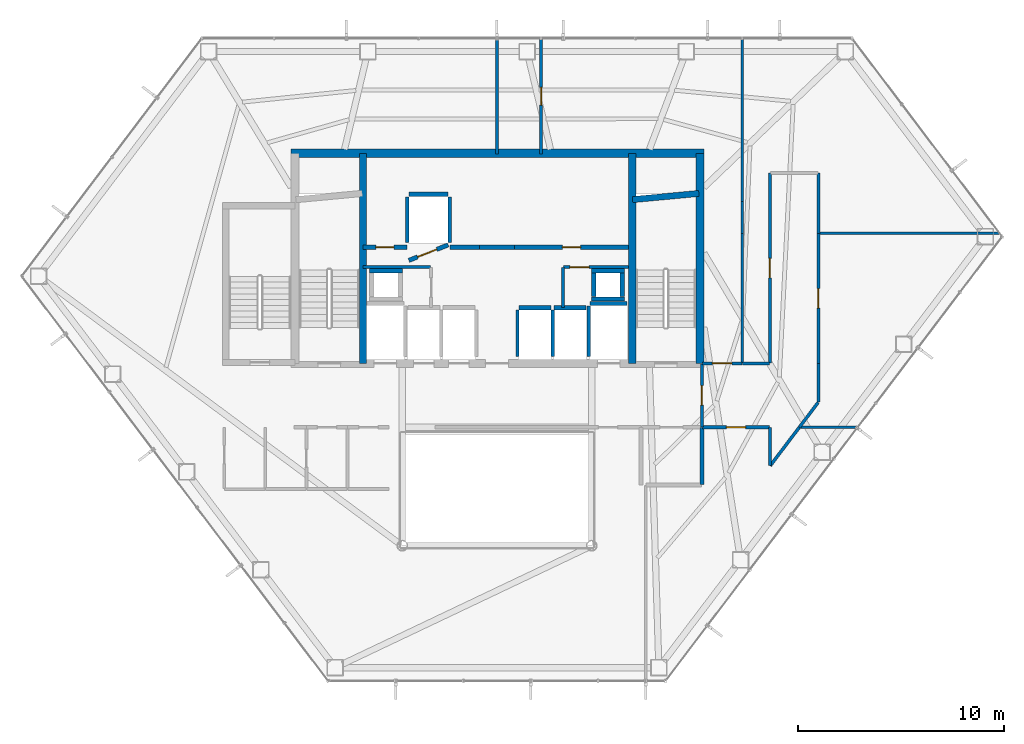
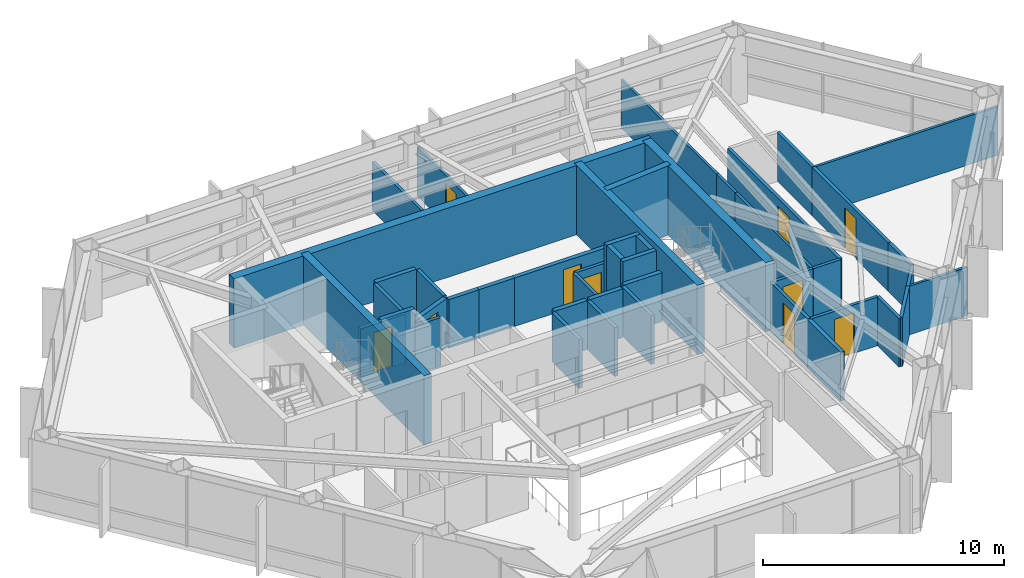
# One storey, part 26 of 28: 46 walls, 10 doors, 10 openings.
"""IFC4 building model written with IfcOpenShell, lengths in metres."""

from ifc_helpers import new_model, si_unit, direction, frame, frame_2d, origin, place, context, subcontext, project, spatial, rectangle, extrude, material, layer, layer_set, type_object, element, fill, save


model = new_model("IFC4")

# Units and contexts
model_context = context("Model", 3, precision=1e-05, world=origin(), true_north=direction((0.0, 1.0)))
body_context = subcontext(model_context, "Body", "Model", "MODEL_VIEW")
ifc_project = project(units=[si_unit("LENGTHUNIT", "METRE"), si_unit("AREAUNIT", "SQUARE_METRE"), si_unit("VOLUMEUNIT", "CUBIC_METRE"), si_unit("PLANEANGLEUNIT", "RADIAN"), si_unit("MASSUNIT", "GRAM", prefix="KILO")], contexts=[model_context])

# Site, building, storey
site_placement = place(None, origin())
site = spatial("IfcSite", under=ifc_project, at=site_placement, CompositionType="ELEMENT")
building_placement = place(site_placement, origin())
building = spatial("IfcBuilding", under=site, at=building_placement, Name="Zarrinselat Tower", CompositionType="ELEMENT")
storey_placement = place(building_placement, frame((0.0, 0.0, 145.860107421875)))
storey = spatial("IfcBuildingStorey", under=building, at=storey_placement, Name="L35", CompositionType="ELEMENT", Elevation=145.860107421875)

# Walls
ifc_material_1 = material(Name="Concrete C40/50", Category="concrete")
ifc_layer_1 = layer(ifc_material_1, 0.18994140625)
ifc_layer_set_1 = layer_set([ifc_layer_1], Name="Concrete C40/50")
wall_type_1 = type_object("IfcWallType", Name="WAL-PART-EI120", PredefinedType="PARTITIONING", material=ifc_layer_set_1)
wall_1_placement = place(storey_placement, frame((48.35009765625, 27.3701171875, 0.0), z_axis=(0.0, 0.0, 1.0), x_axis=(0.0, 1.0, 0.0)))
element("IfcWall", 1, at=wall_1_placement, inside=storey, type_object=wall_type_1, Name="L35 Partition Wall 17", PredefinedType="PARTITIONING", context=body_context, shape_type="SweptSolid", body=[
    extrude(rectangle(XDim=2.759765625, YDim=0.18994140625, at=frame_2d((1.3798828125, 0.0))), origin(), (0.0, 0.0, 1.0), 2.456787109375),
])
ifc_material_2 = material(Name="Fire-Rated Gypsum Board Partition", Category="gypsum")
ifc_layer_2 = layer(ifc_material_2, 0.14990234375)
ifc_layer_set_2 = layer_set([ifc_layer_2], Name="Fire-Rated Gypsum Board Partition")
wall_type_2 = type_object("IfcWallType", Name="WAL-PART-EI60", PredefinedType="PARTITIONING", material=ifc_layer_set_2)
wall_2_placement = place(storey_placement, frame((31.885009765625, 37.919921875, 0.0), z_axis=(0.0, 0.0, 1.0), x_axis=(1.0, 0.0, 0.0)))
element("IfcWall", 2, at=wall_2_placement, inside=storey, type_object=wall_type_2, Name="L35 Partition Wall 2", PredefinedType="PARTITIONING", context=body_context, shape_type="SweptSolid", body=[
    extrude(rectangle(XDim=3.294921875, YDim=0.14990234375, at=frame_2d((1.6474609375, 0.0))), origin(), (0.0, 0.0, 1.0), 2.456787109375),
])

# Wall, opening, door
wall_3_placement = place(storey_placement, frame((41.6201171875, 37.919921875, 0.0), z_axis=(0.0, 0.0, 1.0), x_axis=(1.0, 0.0, 0.0)))
wall_3 = element("IfcWall", 3, at=wall_3_placement, inside=storey, type_object=wall_type_2, Name="L35 Partition Wall 7", PredefinedType="PARTITIONING", context=body_context, shape_type="SweptSolid", body=[
    extrude(rectangle(XDim=3.164794921875, YDim=0.14990234375, at=frame_2d((1.58251953125, 0.0))), origin(), (0.0, 0.0, 1.0), 2.456787109375),
])
opening_1_placement = place(wall_3_placement, frame((0.3125, 0.0, 0.0)))
opening_1 = element("IfcOpeningElement", 4, at=opening_1_placement, cuts=wall_3, Name="Opening ID-04", PredefinedType="OPENING", context=body_context, shape_type="SweptSolid", body=[
    extrude(rectangle(XDim=0.93994140625, YDim=2.050048828125, at=frame_2d((0.469970703125, 1.02490234375))), frame((0.0, 0.0849609375, 0.0), z_axis=(0.0, -1.0, 0.0), x_axis=(1.0, 0.0, 0.0)), (0.0, 0.0, 1.0), 0.169921875),
])
ifc_material_3 = material(Name="Fire-Rated Gypsum Board Partition")
door_type_1 = type_object("IfcDoorType", Name="DR-INT-FD30-ENT", OperationType="NOTDEFINED", PredefinedType="DOOR", material=ifc_material_3)
door_1_placement = place(opening_1_placement, origin())
door_1 = element("IfcDoor", 5, at=door_1_placement, inside=storey, type_object=door_type_1, Name="L35 Interior Door P7", OperationType="SINGLE_SWING_RIGHT", OverallHeight=2.050048828125, OverallWidth=0.93994140625, PredefinedType="DOOR", context=body_context, shape_type="SweptSolid", body=[
    extrude(rectangle(XDim=0.93994140625, YDim=2.050048828125, at=frame_2d((0.469970703125, 1.02490234375))), frame((0.0, 0.02490234375, 0.0), z_axis=(0.0, -1.0, 0.0), x_axis=(1.0, 0.0, 0.0)), (0.0, 0.0, 1.0), 0.050048828125),
])
fill(opening_1, door_1)

# Wall
wall_4_placement = place(storey_placement, frame((41.60009765625, 35.969970703125, 0.0), z_axis=(0.0, 0.0, 1.0), x_axis=(0.0, 1.0, 0.0)))
element("IfcWall", 6, at=wall_4_placement, inside=storey, type_object=wall_type_2, Name="L35 Partition Wall 8", PredefinedType="PARTITIONING", context=body_context, shape_type="SweptSolid", body=[
    extrude(rectangle(XDim=1.929931640625, YDim=0.14990234375, at=frame_2d((0.96484375, 0.0))), origin(), (0.0, 0.0, 1.0), 2.456787109375),
])

# Wall, opening, door
wall_5_placement = place(storey_placement, frame((48.35009765625, 30.169921875, 0.0), z_axis=(0.0, 0.0, 1.0), x_axis=(0.0, 1.0, 0.0)))
wall_5 = element("IfcWall", 7, at=wall_5_placement, inside=storey, type_object=wall_type_2, Name="L35 Partition Wall 10", PredefinedType="PARTITIONING", context=body_context, shape_type="SweptSolid", body=[
    extrude(rectangle(XDim=3.06005859375, YDim=0.14990234375, at=frame_2d((1.530029296875, 0.0))), origin(), (0.0, 0.0, 1.0), 2.456787109375),
])
opening_2_placement = place(wall_5_placement, frame((1.06005859375, 0.0, 0.0)))
opening_2 = element("IfcOpeningElement", 8, at=opening_2_placement, cuts=wall_5, Name="Opening ID-04", PredefinedType="OPENING", context=body_context, shape_type="SweptSolid", body=[
    extrude(rectangle(XDim=0.93994140625, YDim=2.050048828125, at=frame_2d((0.469970703125, 1.02490234375))), frame((0.0, 0.0849609375, 0.0), z_axis=(0.0, -1.0, 0.0), x_axis=(1.0, 0.0, 0.0)), (0.0, 0.0, 1.0), 0.169921875),
])
door_2_placement = place(opening_2_placement, origin())
door_2 = element("IfcDoor", 9, at=door_2_placement, inside=storey, type_object=door_type_1, Name="L35 Interior Door P10", OperationType="SINGLE_SWING_RIGHT", OverallHeight=2.050048828125, OverallWidth=0.93994140625, PredefinedType="DOOR", context=body_context, shape_type="SweptSolid", body=[
    extrude(rectangle(XDim=0.93994140625, YDim=2.050048828125, at=frame_2d((0.469970703125, 1.02490234375))), frame((0.0, 0.02490234375, 0.0), z_axis=(0.0, -1.0, 0.0), x_axis=(1.0, 0.0, 0.0)), (0.0, 0.0, 1.0), 0.050048828125),
])
fill(opening_2, door_2)

# Walls
wall_6_placement = place(storey_placement, frame((51.662109375, 28.28173828125, 0.0), z_axis=(0.0, 0.0, 1.0), x_axis=(0.603811538878, 0.797127107504, 0.0)))
element("IfcWall", 10, at=wall_6_placement, inside=storey, type_object=wall_type_2, Name="L35 Partition Wall 18", PredefinedType="PARTITIONING", context=body_context, shape_type="SweptSolid", body=[
    extrude(rectangle(XDim=2.3427734375, YDim=0.14990234375, at=frame_2d((1.17138671875, 0.0))), origin(), (0.0, 0.0, 1.0), 2.456787109375),
])
wall_7_placement = place(storey_placement, frame((51.64990234375, 28.285888671875, 0.0), z_axis=(0.0, 0.0, 1.0), x_axis=(0.0, 1.0, 0.0)))
element("IfcWall", 11, at=wall_7_placement, inside=storey, type_object=wall_type_2, Name="L35 Partition Wall 19", PredefinedType="PARTITIONING", context=body_context, shape_type="SweptSolid", body=[
    extrude(rectangle(XDim=1.843994140625, YDim=0.14990234375, at=frame_2d((0.921875, 0.0))), origin(), (0.0, 0.0, 1.0), 2.456787109375),
])

# Wall, opening, door
wall_8_placement = place(storey_placement, frame((48.3701171875, 30.14990234375, 0.0), z_axis=(0.0, 0.0, 1.0), x_axis=(1.0, 0.0, 0.0)))
wall_8 = element("IfcWall", 12, at=wall_8_placement, inside=storey, type_object=wall_type_2, Name="L35 Partition Wall 20", PredefinedType="PARTITIONING", context=body_context, shape_type="SweptSolid", body=[
    extrude(rectangle(XDim=3.259765625, YDim=0.14990234375, at=frame_2d((1.6298828125, 0.0))), origin(), (0.0, 0.0, 1.0), 2.456787109375),
])
opening_3_placement = place(wall_8_placement, frame((1.159912109375, 0.0, 0.0)))
opening_3 = element("IfcOpeningElement", 13, at=opening_3_placement, cuts=wall_8, Name="Opening ID-04", PredefinedType="OPENING", context=body_context, shape_type="SweptSolid", body=[
    extrude(rectangle(XDim=0.93994140625, YDim=2.050048828125, at=frame_2d((0.469970703125, 1.02490234375))), frame((0.0, 0.0849609375, 0.0), z_axis=(0.0, -1.0, 0.0), x_axis=(1.0, 0.0, 0.0)), (0.0, 0.0, 1.0), 0.169921875),
])
door_3_placement = place(opening_3_placement, origin())
door_3 = element("IfcDoor", 14, at=door_3_placement, inside=storey, type_object=door_type_1, Name="L35 Interior Door P20", OperationType="SINGLE_SWING_RIGHT", OverallHeight=2.050048828125, OverallWidth=0.93994140625, PredefinedType="DOOR", context=body_context, shape_type="SweptSolid", body=[
    extrude(rectangle(XDim=0.93994140625, YDim=2.050048828125, at=frame_2d((0.469970703125, 1.02490234375))), frame((0.0, 0.02490234375, 0.0), z_axis=(0.0, -1.0, 0.0), x_axis=(1.0, 0.0, 0.0)), (0.0, 0.0, 1.0), 0.050048828125),
])
fill(opening_3, door_3)

wall_9_placement = place(storey_placement, frame((54.0, 33.25, 0.0), z_axis=(0.0, 0.0, 1.0), x_axis=(0.0, 1.0, 0.0)))
wall_9 = element("IfcWall", 15, at=wall_9_placement, inside=storey, type_object=wall_type_2, Name="L35 Partition Wall 21", PredefinedType="PARTITIONING", context=body_context, shape_type="SweptSolid", body=[
    extrude(rectangle(XDim=6.306640625, YDim=0.14990234375, at=frame_2d((3.1533203125, 0.0))), origin(), (0.0, 0.0, 1.0), 2.456787109375),
])
opening_4_placement = place(wall_9_placement, frame((2.683349609375, 0.0, 0.0)))
opening_4 = element("IfcOpeningElement", 16, at=opening_4_placement, cuts=wall_9, Name="Opening ID-04", PredefinedType="OPENING", context=body_context, shape_type="SweptSolid", body=[
    extrude(rectangle(XDim=0.93994140625, YDim=2.050048828125, at=frame_2d((0.469970703125, 1.02490234375))), frame((0.0, 0.0849609375, 0.0), z_axis=(0.0, -1.0, 0.0), x_axis=(1.0, 0.0, 0.0)), (0.0, 0.0, 1.0), 0.169921875),
])
door_4_placement = place(opening_4_placement, origin())
door_4 = element("IfcDoor", 17, at=door_4_placement, inside=storey, type_object=door_type_1, Name="L35 Interior Door P21", OperationType="SINGLE_SWING_LEFT", OverallHeight=2.050048828125, OverallWidth=0.93994140625, PredefinedType="DOOR", context=body_context, shape_type="SweptSolid", body=[
    extrude(rectangle(XDim=0.93994140625, YDim=2.050048828125, at=frame_2d((0.469970703125, 1.02490234375))), frame((0.0, 0.02490234375, 0.0), z_axis=(0.0, -1.0, 0.0), x_axis=(1.0, 0.0, 0.0)), (0.0, 0.0, 1.0), 0.050048828125),
])
fill(opening_4, door_4)

# Walls
wall_10_placement = place(storey_placement, frame((54.0, 31.3876953125, 0.0), z_axis=(0.0, 0.0, 1.0), x_axis=(0.0, 1.0, 0.0)))
element("IfcWall", 18, at=wall_10_placement, inside=storey, type_object=wall_type_2, Name="L35 Partition Wall 22", PredefinedType="PARTITIONING", context=body_context, shape_type="SweptSolid", body=[
    extrude(rectangle(XDim=1.8623046875, YDim=0.14990234375, at=frame_2d((0.93115234375, 0.0))), origin(), (0.0, 0.0, 1.0), 2.456787109375),
])
wall_11_placement = place(storey_placement, frame((53.080322265625, 30.154052734375, 0.0), z_axis=(0.0, 0.0, 1.0), x_axis=(0.603892095683, 0.797066080555, 0.0)))
element("IfcWall", 19, at=wall_11_placement, inside=storey, type_object=wall_type_2, Name="L35 Partition Wall 23", PredefinedType="PARTITIONING", context=body_context, shape_type="SweptSolid", body=[
    extrude(rectangle(XDim=1.502685546875, YDim=0.14990234375, at=frame_2d((0.75146484375, 0.0))), origin(), (0.0, 0.0, 1.0), 2.456787109375),
])
wall_12_placement = place(storey_placement, frame((50.304931640625, 33.25, 0.0), z_axis=(0.0, 0.0, 1.0), x_axis=(1.0, 0.0, 0.0)))
element("IfcWall", 20, at=wall_12_placement, inside=storey, type_object=wall_type_2, Name="L35 Partition Wall 24", PredefinedType="PARTITIONING", context=body_context, shape_type="SweptSolid", body=[
    extrude(rectangle(XDim=1.324951171875, YDim=0.14990234375, at=frame_2d((0.66259765625, 0.0))), origin(), (0.0, 0.0, 1.0), 2.456787109375),
])

# Wall, opening, door
wall_13_placement = place(storey_placement, frame((51.64990234375, 33.27001953125, 0.0), z_axis=(0.0, 0.0, 1.0), x_axis=(0.0, 1.0, 0.0)))
wall_13 = element("IfcWall", 21, at=wall_13_placement, inside=storey, type_object=wall_type_2, Name="L35 Partition Wall 25", PredefinedType="PARTITIONING", context=body_context, shape_type="SweptSolid", body=[
    extrude(rectangle(XDim=9.2099609375, YDim=0.14990234375, at=frame_2d((4.60498046875, 0.0))), origin(), (0.0, 0.0, 1.0), 2.456787109375),
])
opening_5_placement = place(wall_13_placement, frame((4.135009765625, 0.0, 0.0)))
opening_5 = element("IfcOpeningElement", 22, at=opening_5_placement, cuts=wall_13, Name="Opening ID-04", PredefinedType="OPENING", context=body_context, shape_type="SweptSolid", body=[
    extrude(rectangle(XDim=0.93994140625, YDim=2.050048828125, at=frame_2d((0.469970703125, 1.02490234375))), frame((0.0, 0.0849609375, 0.0), z_axis=(0.0, -1.0, 0.0), x_axis=(1.0, 0.0, 0.0)), (0.0, 0.0, 1.0), 0.169921875),
])
door_5_placement = place(opening_5_placement, origin())
door_5 = element("IfcDoor", 23, at=door_5_placement, inside=storey, type_object=door_type_1, Name="L35 Interior Door P25", OperationType="SINGLE_SWING_RIGHT", OverallHeight=2.050048828125, OverallWidth=0.93994140625, PredefinedType="DOOR", context=body_context, shape_type="SweptSolid", body=[
    extrude(rectangle(XDim=0.93994140625, YDim=2.050048828125, at=frame_2d((0.469970703125, 1.02490234375))), frame((0.0, 0.02490234375, 0.0), z_axis=(0.0, -1.0, 0.0), x_axis=(1.0, 0.0, 0.0)), (0.0, 0.0, 1.0), 0.050048828125),
])
fill(opening_5, door_5)

# Wall
wall_14_placement = place(storey_placement, frame((54.0, 39.566650390625, 0.0), z_axis=(0.0, 0.0, 1.0), x_axis=(0.0, 1.0, 0.0)))
element("IfcWall", 24, at=wall_14_placement, inside=storey, type_object=wall_type_2, Name="L35 Partition Wall 27", PredefinedType="PARTITIONING", context=body_context, shape_type="SweptSolid", body=[
    extrude(rectangle(XDim=2.913330078125, YDim=0.14990234375, at=frame_2d((1.45654296875, 0.0))), origin(), (0.0, 0.0, 1.0), 2.456787109375),
])

# Wall, opening, door
wall_15_placement = place(storey_placement, frame((48.364990234375, 33.25, 0.0), z_axis=(0.0, 0.0, 1.0), x_axis=(1.0, 0.0, 0.0)))
wall_15 = element("IfcWall", 25, at=wall_15_placement, inside=storey, type_object=wall_type_2, Name="L35 Partition Wall 28", PredefinedType="PARTITIONING", context=body_context, shape_type="SweptSolid", body=[
    extrude(rectangle(XDim=1.929931640625, YDim=0.14990234375, at=frame_2d((0.96484375, 0.0))), origin(), (0.0, 0.0, 1.0), 2.456787109375),
])
opening_6_placement = place(wall_15_placement, frame((0.4951171875, 0.0, 0.0)))
opening_6 = element("IfcOpeningElement", 26, at=opening_6_placement, cuts=wall_15, Name="Opening ID-04", PredefinedType="OPENING", context=body_context, shape_type="SweptSolid", body=[
    extrude(rectangle(XDim=0.93994140625, YDim=2.050048828125, at=frame_2d((0.469970703125, 1.02490234375))), frame((0.0, 0.0849609375, 0.0), z_axis=(0.0, -1.0, 0.0), x_axis=(1.0, 0.0, 0.0)), (0.0, 0.0, 1.0), 0.169921875),
])
door_6_placement = place(opening_6_placement, origin())
door_6 = element("IfcDoor", 27, at=door_6_placement, inside=storey, type_object=door_type_1, Name="L35 Interior Door P28", OperationType="SINGLE_SWING_LEFT", OverallHeight=2.050048828125, OverallWidth=0.93994140625, PredefinedType="DOOR", context=body_context, shape_type="SweptSolid", body=[
    extrude(rectangle(XDim=0.93994140625, YDim=2.050048828125, at=frame_2d((0.469970703125, 1.02490234375))), frame((0.0, 0.02490234375, 0.0), z_axis=(0.0, -1.0, 0.0), x_axis=(1.0, 0.0, 0.0)), (0.0, 0.0, 1.0), 0.050048828125),
])
fill(opening_6, door_6)

ifc_material_4 = material(Name="Concrete C40/50", Category="concrete")
ifc_layer_3 = layer(ifc_material_4, 0.199951171875)
ifc_layer_set_3 = layer_set([ifc_layer_3], Name="Concrete C40/50")
wall_type_3 = type_object("IfcWallType", Name="WAL-PART-PLANT", PredefinedType="PARTITIONING", material=ifc_layer_set_3)
wall_16_placement = place(storey_placement, frame((31.885009765625, 38.889892578125, 0.0), z_axis=(0.0, 0.0, 1.0), x_axis=(1.0, 0.0, 0.0)))
wall_16 = element("IfcWall", 28, at=wall_16_placement, inside=storey, type_object=wall_type_3, Name="L35 Partition Wall 3", PredefinedType="PARTITIONING", context=body_context, shape_type="SweptSolid", body=[
    extrude(rectangle(XDim=2.14990234375, YDim=0.199951171875, at=frame_2d((1.074951171875, 0.0))), origin(), (0.0, 0.0, 1.0), 2.456787109375),
])
opening_7_placement = place(wall_16_placement, frame((0.635009765625, 0.0, 0.0)))
opening_7 = element("IfcOpeningElement", 29, at=opening_7_placement, cuts=wall_16, Name="Opening ID-03", PredefinedType="OPENING", context=body_context, shape_type="SweptSolid", body=[
    extrude(rectangle(XDim=0.8798828125, YDim=2.050048828125, at=frame_2d((0.43994140625, 1.02490234375))), frame((0.0, 0.10986328125, 0.0), z_axis=(0.0, -1.0, 0.0), x_axis=(1.0, 0.0, 0.0)), (0.0, 0.0, 1.0), 0.219970703125),
])
ifc_material_5 = material(Name="Steel S355J2", Category="steel")
door_type_2 = type_object("IfcDoorType", Name="DR-INT-FD60-S", OperationType="NOTDEFINED", PredefinedType="DOOR", material=ifc_material_5)
door_7_placement = place(opening_7_placement, origin())
door_7 = element("IfcDoor", 30, at=door_7_placement, inside=storey, type_object=door_type_2, Name="L35 Interior Door P3", OperationType="SINGLE_SWING_RIGHT", OverallHeight=2.050048828125, OverallWidth=0.8798828125, PredefinedType="DOOR", context=body_context, shape_type="SweptSolid", body=[
    extrude(rectangle(XDim=0.8798828125, YDim=2.050048828125, at=frame_2d((0.43994140625, 1.02490234375))), frame((0.0, 0.02490234375, 0.0), z_axis=(0.0, -1.0, 0.0), x_axis=(1.0, 0.0, 0.0)), (0.0, 0.0, 1.0), 0.050048828125),
])
fill(opening_7, door_7)

# Walls
wall_17_placement = place(storey_placement, frame((36.114990234375, 38.889892578125, 0.0), z_axis=(0.0, 0.0, 1.0), x_axis=(1.0, 0.0, 0.0)))
element("IfcWall", 31, at=wall_17_placement, inside=storey, type_object=wall_type_3, Name="L35 Partition Wall 4", PredefinedType="PARTITIONING", context=body_context, shape_type="SweptSolid", body=[
    extrude(rectangle(XDim=1.43505859375, YDim=0.199951171875, at=frame_2d((0.717529296875, 0.0))), origin(), (0.0, 0.0, 1.0), 2.456787109375),
])
wall_18_placement = place(storey_placement, frame((37.550048828125, 38.889892578125, 0.0), z_axis=(0.0, 0.0, 1.0), x_axis=(1.0, 0.0, 0.0)))
element("IfcWall", 32, at=wall_18_placement, inside=storey, type_object=wall_type_3, Name="L35 Partition Wall 5", PredefinedType="PARTITIONING", context=body_context, shape_type="SweptSolid", body=[
    extrude(rectangle(XDim=1.699951171875, YDim=0.199951171875, at=frame_2d((0.85009765625, 0.0))), origin(), (0.0, 0.0, 1.0), 2.456787109375),
])

# Wall, opening, door
wall_19_placement = place(storey_placement, frame((39.25, 38.889892578125, 0.0), z_axis=(0.0, 0.0, 1.0), x_axis=(1.0, 0.0, 0.0)))
wall_19 = element("IfcWall", 33, at=wall_19_placement, inside=storey, type_object=wall_type_3, Name="L35 Partition Wall 6", PredefinedType="PARTITIONING", context=body_context, shape_type="SweptSolid", body=[
    extrude(rectangle(XDim=5.534912109375, YDim=0.199951171875, at=frame_2d((2.767578125, 0.0))), origin(), (0.0, 0.0, 1.0), 2.456787109375),
])
opening_8_placement = place(wall_19_placement, frame((2.327392578125, 0.0, 0.0)))
opening_8 = element("IfcOpeningElement", 34, at=opening_8_placement, cuts=wall_19, Name="Opening ID-03", PredefinedType="OPENING", context=body_context, shape_type="SweptSolid", body=[
    extrude(rectangle(XDim=0.8798828125, YDim=2.050048828125, at=frame_2d((0.43994140625, 1.02490234375))), frame((0.0, 0.10986328125, 0.0), z_axis=(0.0, -1.0, 0.0), x_axis=(1.0, 0.0, 0.0)), (0.0, 0.0, 1.0), 0.219970703125),
])
door_8_placement = place(opening_8_placement, origin())
door_8 = element("IfcDoor", 35, at=door_8_placement, inside=storey, type_object=door_type_2, Name="L35 Interior Door P6", OperationType="SINGLE_SWING_LEFT", OverallHeight=2.050048828125, OverallWidth=0.8798828125, PredefinedType="DOOR", context=body_context, shape_type="SweptSolid", body=[
    extrude(rectangle(XDim=0.8798828125, YDim=2.050048828125, at=frame_2d((0.43994140625, 1.02490234375))), frame((0.0, 0.02490234375, 0.0), z_axis=(0.0, -1.0, 0.0), x_axis=(1.0, 0.0, 0.0)), (0.0, 0.0, 1.0), 0.050048828125),
])
fill(opening_8, door_8)

# Walls
ifc_material_6 = material(Name="Fire-Rated Gypsum Board Partition", Category="gypsum")
ifc_layer_4 = layer(ifc_material_6, 0.1201171875)
ifc_layer_set_4 = layer_set([ifc_layer_4], Name="Fire-Rated Gypsum Board Partition")
wall_type_4 = type_object("IfcWallType", Name="WAL-PART-STD", PredefinedType="PARTITIONING", material=ifc_layer_set_4)
wall_20_placement = place(storey_placement, frame((53.097412109375, 30.14990234375, 0.0), z_axis=(0.0, 0.0, 1.0), x_axis=(1.0, 0.0, 0.0)))
element("IfcWall", 36, at=wall_20_placement, inside=storey, type_object=wall_type_4, Name="L35 Partition Wall 39", PredefinedType="PARTITIONING", context=body_context, shape_type="SweptSolid", body=[
    extrude(rectangle(XDim=2.80029296875, YDim=0.1201171875, at=frame_2d((1.400146484375, 0.0))), origin(), (0.0, 0.0, 1.0), 2.456787109375),
])
wall_21_placement = place(storey_placement, frame((54.02001953125, 39.561767578125, 0.0), z_axis=(0.0, 0.0, 1.0), x_axis=(1.0, 0.0, 0.0)))
element("IfcWall", 37, at=wall_21_placement, inside=storey, type_object=wall_type_4, Name="L35 Partition Wall 40", PredefinedType="PARTITIONING", context=body_context, shape_type="SweptSolid", body=[
    extrude(rectangle(XDim=8.773193359375, YDim=0.1201171875, at=frame_2d((4.38671875, 0.0))), origin(), (0.0, 0.0, 1.0), 2.456787109375),
])
wall_22_placement = place(storey_placement, frame((50.300048828125, 33.27001953125, 0.0), z_axis=(0.0, 0.0, 1.0), x_axis=(0.0, 1.0, 0.0)))
element("IfcWall", 38, at=wall_22_placement, inside=storey, type_object=wall_type_4, Name="L35 Partition Wall 41", PredefinedType="PARTITIONING", context=body_context, shape_type="SweptSolid", body=[
    extrude(rectangle(XDim=6.291748046875, YDim=0.1201171875, at=frame_2d((3.14599609375, 0.0))), origin(), (0.0, 0.0, 1.0), 2.456787109375),
])
wall_23_placement = place(storey_placement, frame((50.300048828125, 39.561767578125, 0.0), z_axis=(0.0, 0.0, 1.0), x_axis=(0.0, 1.0, 0.0)))
element("IfcWall", 39, at=wall_23_placement, inside=storey, type_object=wall_type_4, Name="L35 Partition Wall 42", PredefinedType="PARTITIONING", context=body_context, shape_type="SweptSolid", body=[
    extrude(rectangle(XDim=1.5498046875, YDim=0.1201171875, at=frame_2d((0.77490234375, 0.0))), origin(), (0.0, 0.0, 1.0), 2.456787109375),
])
wall_24_placement = place(storey_placement, frame((50.300048828125, 41.111572265625, 0.0), z_axis=(0.0, 0.0, 1.0), x_axis=(0.0, 1.0, 0.0)))
element("IfcWall", 40, at=wall_24_placement, inside=storey, type_object=wall_type_4, Name="L35 Partition Wall 43", PredefinedType="PARTITIONING", context=body_context, shape_type="SweptSolid", body=[
    extrude(rectangle(XDim=7.90673828125, YDim=0.1201171875, at=frame_2d((3.953369140625, 0.0))), origin(), (0.0, 0.0, 1.0), 2.456787109375),
])
ifc_material_7 = material(Name="Fire-Rated Gypsum Board Partition", Category="gypsum")
ifc_layer_5 = layer(ifc_material_7, 0.135009765625)
ifc_layer_set_5 = layer_set([ifc_layer_5], Name="Fire-Rated Gypsum Board Partition")
wall_type_5 = type_object("IfcWallType", Name="WAL-PART-WET", PredefinedType="PARTITIONING", material=ifc_layer_set_5)
wall_25_placement = place(storey_placement, frame((38.39990234375, 43.4150390625, 0.0), z_axis=(0.0, 0.0, 1.0), x_axis=(0.0, 1.0, 0.0)))
element("IfcWall", 41, at=wall_25_placement, inside=storey, type_object=wall_type_5, Name="L35 Partition Wall 38", PredefinedType="PARTITIONING", context=body_context, shape_type="SweptSolid", body=[
    extrude(rectangle(XDim=5.603271484375, YDim=0.135009765625, at=frame_2d((2.8017578125, 0.0))), origin(), (0.0, 0.0, 1.0), 2.456787109375),
])

# Wall, opening, door
wall_26_placement = place(storey_placement, frame((40.5419921875, 43.4150390625, 0.0), z_axis=(0.0, 0.0, 1.0), x_axis=(0.0, 1.0, 0.0)))
wall_26 = element("IfcWall", 42, at=wall_26_placement, inside=storey, type_object=wall_type_5, Name="L35 Partition Wall 44", PredefinedType="PARTITIONING", context=body_context, shape_type="SweptSolid", body=[
    extrude(rectangle(XDim=5.603271484375, YDim=0.135009765625, at=frame_2d((2.8017578125, 0.0))), origin(), (0.0, 0.0, 1.0), 2.456787109375),
])
opening_9_placement = place(wall_26_placement, frame((2.37158203125, 0.0, 0.0)))
opening_9 = element("IfcOpeningElement", 43, at=opening_9_placement, cuts=wall_26, Name="Opening ID-06", PredefinedType="OPENING", context=body_context, shape_type="SweptSolid", body=[
    extrude(rectangle(XDim=0.860107421875, YDim=2.050048828125, at=frame_2d((0.43017578125, 1.02490234375))), frame((0.0, 0.077392578125, 0.0), z_axis=(0.0, -1.0, 0.0), x_axis=(1.0, 0.0, 0.0)), (0.0, 0.0, 1.0), 0.155029296875),
])
ifc_material_8 = material(Name="Extruded Aluminium Alloy EN AW-6063 T6", Category="aluminium")
door_type_3 = type_object("IfcDoorType", Name="DR-INT-WET-900", OperationType="NOTDEFINED", PredefinedType="DOOR", material=ifc_material_8)
door_9_placement = place(opening_9_placement, origin())
door_9 = element("IfcDoor", 44, at=door_9_placement, inside=storey, type_object=door_type_3, Name="L35 Interior Door P44", OperationType="SINGLE_SWING_RIGHT", OverallHeight=2.050048828125, OverallWidth=0.860107421875, PredefinedType="DOOR", context=body_context, shape_type="SweptSolid", body=[
    extrude(rectangle(XDim=0.860107421875, YDim=2.050048828125, at=frame_2d((0.43017578125, 1.02490234375))), frame((0.0, 0.02490234375, 0.0), z_axis=(0.0, -1.0, 0.0), x_axis=(1.0, 0.0, 0.0)), (0.0, 0.0, 1.0), 0.050048828125),
])
fill(opening_9, door_9)

# Walls
ifc_material_9 = material(Name="Concrete C40/50", Category="concrete")
ifc_layer_6 = layer(ifc_material_9, 0.2099609375)
ifc_layer_set_6 = layer_set([ifc_layer_6], Name="Concrete C40/50")
wall_type_6 = type_object("IfcWallType", Name="WAL-SHAFT-210", PredefinedType="SOLIDWALL", material=ifc_layer_set_6)
wall_27_placement = place(storey_placement, frame((42.919921875, 36.155029296875, 0.0), z_axis=(0.0, 0.0, 1.0), x_axis=(1.0, 0.0, 0.0)))
element("IfcWall", 45, at=wall_27_placement, inside=storey, type_object=wall_type_6, Name="L35 Lift FFL2 North Shaft Wall", PredefinedType="SOLIDWALL", context=body_context, shape_type="SweptSolid", body=[
    extrude(rectangle(XDim=1.800048828125, YDim=0.2099609375, at=frame_2d((0.89990234375, 0.0))), origin(), (0.0, 0.0, 1.0), 2.471923828125),
])
wall_28_placement = place(storey_placement, frame((42.85009765625, 33.580078125, 0.0), z_axis=(0.0, 0.0, 1.0), x_axis=(0.0, 1.0, 0.0)))
element("IfcWall", 46, at=wall_28_placement, inside=storey, type_object=wall_type_6, Name="L35 Lift FFL2 W Shaft Wall", PredefinedType="SOLIDWALL", context=body_context, shape_type="SweptSolid", body=[
    extrude(rectangle(XDim=2.449951171875, YDim=0.159912109375, at=frame_2d((1.22509765625, 0.0))), origin(), (0.0, 0.0, 1.0), 2.471923828125),
])

# Wall, opening, door
wall_29_placement = place(storey_placement, frame((34.1201171875, 38.25, 0.0), z_axis=(0.0, 0.0, 1.0), x_axis=(0.930804993012, 0.36551616241, 0.0)))
wall_29 = element("IfcWall", 47, at=wall_29_placement, inside=storey, type_object=wall_type_6, Name="L35 Lift PL7 Front Shaft Wall", PredefinedType="SOLIDWALL", context=body_context, shape_type="SweptSolid", body=[
    extrude(rectangle(XDim=2.052001953125, YDim=0.2099609375, at=frame_2d((1.02587890625, 0.0))), origin(), (0.0, 0.0, 1.0), 2.471923828125),
])
opening_10_placement = place(wall_29_placement, frame((0.455078125, 0.0, 0.0)))
opening_10 = element("IfcOpeningElement", 48, at=opening_10_placement, cuts=wall_29, Name="Opening LD-PL7", PredefinedType="OPENING", context=body_context, shape_type="SweptSolid", body=[
    extrude(rectangle(XDim=1.0, YDim=2.10009765625, at=frame_2d((0.5, 1.050048828125))), frame((0.0, 0.114990234375, 0.0), z_axis=(0.0, -1.0, 0.0), x_axis=(1.0, 0.0, 0.0)), (0.0, 0.0, 1.0), 0.22998046875),
])
ifc_material_10 = material(Name="Steel S355J2", Category="steel")
door_type_4 = type_object("IfcDoorType", Name="DR-LIFT-PS-1000", OperationType="NOTDEFINED", PredefinedType="DOOR", material=ifc_material_10)
door_10_placement = place(opening_10_placement, origin())
door_10 = element("IfcDoor", 49, at=door_10_placement, inside=storey, type_object=door_type_4, Name="L35 Lift PL7 Sliding Landing Door", OperationType="SLIDING_TO_LEFT", OverallHeight=2.10009765625, OverallWidth=1.0, PredefinedType="DOOR", context=body_context, shape_type="SweptSolid", body=[
    extrude(rectangle(XDim=1.0, YDim=2.10009765625, at=frame_2d((0.5, 1.050048828125))), frame((0.0, 0.02490234375, 0.0), z_axis=(0.0, -1.0, 0.0), x_axis=(1.0, 0.0, 0.0)), (0.0, 0.0, 1.0), 0.050048828125),
])
fill(opening_10, door_10)

# Walls
wall_30_placement = place(storey_placement, frame((34.1201171875, 41.455078125, 0.0), z_axis=(0.0, 0.0, 1.0), x_axis=(1.0, 0.0, 0.0)))
element("IfcWall", 50, at=wall_30_placement, inside=storey, type_object=wall_type_6, Name="L35 Lift PL7 Rear Shaft Wall", PredefinedType="SOLIDWALL", context=body_context, shape_type="SweptSolid", body=[
    extrude(rectangle(XDim=1.909912109375, YDim=0.2099609375, at=frame_2d((0.955078125, 0.0))), origin(), (0.0, 0.0, 1.0), 2.471923828125),
])
for number, where, z_axis, x_axis, name in (
    (51, (34.050048828125, 39.1201171875, 0.0), (0.0, 0.0, 1.0), (0.0, 1.0, 0.0), "L35 Lift PL7 W Shaft Wall"),
    (52, (36.10009765625, 39.1201171875, 0.0), (0.0, 0.0, 1.0), (0.0, 1.0, 0.0), "L35 Lift PL7 E Shaft Wall"),
):
    element("IfcWall", number, at=place(storey_placement, frame(where, z_axis=z_axis, x_axis=x_axis)), inside=storey, type_object=wall_type_6, Name=name, PredefinedType="SOLIDWALL", context=body_context, shape_type="SweptSolid", body=[
        extrude(rectangle(XDim=2.2099609375, YDim=0.159912109375, at=frame_2d((1.10498046875, 0.0))), origin(), (0.0, 0.0, 1.0), 2.471923828125),
    ])
wall_31_placement = place(storey_placement, frame((39.469970703125, 35.955078125, 0.0), z_axis=(0.0, 0.0, 1.0), x_axis=(1.0, 0.0, 0.0)))
element("IfcWall", 53, at=wall_31_placement, inside=storey, type_object=wall_type_6, Name="L35 Lift PL8 North Shaft Wall", PredefinedType="SOLIDWALL", context=body_context, shape_type="SweptSolid", body=[
    extrude(rectangle(XDim=1.56005859375, YDim=0.2099609375, at=frame_2d((0.780029296875, 0.0))), origin(), (0.0, 0.0, 1.0), 2.471923828125),
])
for number, where, z_axis, x_axis, name in (
    (54, (39.39990234375, 33.580078125, 0.0), (0.0, 0.0, 1.0), (0.0, 1.0, 0.0), "L35 Lift PL8 W Shaft Wall"),
    (55, (41.10009765625, 33.580078125, 0.0), (0.0, 0.0, 1.0), (0.0, 1.0, 0.0), "L35 Lift PL8 E Shaft Wall"),
):
    element("IfcWall", number, at=place(storey_placement, frame(where, z_axis=z_axis, x_axis=x_axis)), inside=storey, type_object=wall_type_6, Name=name, PredefinedType="SOLIDWALL", context=body_context, shape_type="SweptSolid", body=[
        extrude(rectangle(XDim=2.25, YDim=0.159912109375, at=frame_2d((1.125, 0.0))), origin(), (0.0, 0.0, 1.0), 2.471923828125),
    ])
wall_32_placement = place(storey_placement, frame((41.169921875, 35.955078125, 0.0), z_axis=(0.0, 0.0, 1.0), x_axis=(1.0, 0.0, 0.0)))
element("IfcWall", 56, at=wall_32_placement, inside=storey, type_object=wall_type_6, Name="L35 Lift PL9 North Shaft Wall", PredefinedType="SOLIDWALL", context=body_context, shape_type="SweptSolid", body=[
    extrude(rectangle(XDim=1.56005859375, YDim=0.2099609375, at=frame_2d((0.780029296875, 0.0))), origin(), (0.0, 0.0, 1.0), 2.471923828125),
])
for number, where, z_axis, x_axis, name in (
    (57, (32.2099609375, 37.7451171875, 0.0), (0.0, 0.0, 1.0), (1.0, 0.0, 0.0), "L35 Core Riser RSR-W N Shaft Wall"),
    (58, (42.989990234375, 36.375, 0.0), (0.0, 0.0, 1.0), (1.0, 0.0, 0.0), "L35 Core Riser RSR-E S Shaft Wall"),
    (59, (42.989990234375, 37.7451171875, 0.0), (0.0, 0.0, 1.0), (1.0, 0.0, 0.0), "L35 Core Riser RSR-E N Shaft Wall"),
):
    element("IfcWall", number, at=place(storey_placement, frame(where, z_axis=z_axis, x_axis=x_axis)), inside=storey, type_object=wall_type_6, Name=name, PredefinedType="SOLIDWALL", context=body_context, shape_type="SweptSolid", body=[
        extrude(rectangle(XDim=1.60009765625, YDim=0.2099609375, at=frame_2d((0.800048828125, 0.0))), origin(), (0.0, 0.0, 1.0), 3.5),
    ])
for number, where, z_axis, x_axis, name in (
    (60, (43.094970703125, 36.485107421875, 0.0), (0.0, 0.0, 1.0), (0.0, 1.0, 0.0), "L35 Core Riser RSR-E W Shaft Wall"),
    (61, (44.485107421875, 36.485107421875, 0.0), (0.0, 0.0, 1.0), (0.0, 1.0, 0.0), "L35 Core Riser RSR-E E Shaft Wall"),
):
    element("IfcWall", number, at=place(storey_placement, frame(where, z_axis=z_axis, x_axis=x_axis)), inside=storey, type_object=wall_type_6, Name=name, PredefinedType="SOLIDWALL", context=body_context, shape_type="SweptSolid", body=[
        extrude(rectangle(XDim=1.14990234375, YDim=0.2099609375, at=frame_2d((0.574951171875, 0.0))), origin(), (0.0, 0.0, 1.0), 3.5),
    ])
ifc_material_11 = material(Name="Concrete C40/50", Category="concrete")
ifc_layer_7 = layer(ifc_material_11, 0.300048828125)
ifc_layer_set_7 = layer_set([ifc_layer_7], Name="Concrete C40/50")
wall_type_7 = type_object("IfcWallType", Name="WAL-SHEAR-300", PredefinedType="SHEAR", material=ifc_layer_set_7)
wall_33_placement = place(storey_placement, frame((44.97998046875, 41.199951171875, 0.0), z_axis=(0.0, 0.0, 1.0), x_axis=(0.995686468965, 0.09278176286, 0.0)))
element("IfcWall", 62, at=wall_33_placement, inside=storey, type_object=wall_type_7, Name="L35 Stair 2 North Shaft Wall", PredefinedType="SHEAR", context=body_context, shape_type="SweptSolid", body=[
    extrude(rectangle(XDim=3.23388671875, YDim=0.300048828125, at=frame_2d((1.616943359375, 0.0))), origin(), (0.0, 0.0, 1.0), 3.5),
])
ifc_material_12 = material(Name="Concrete C50/60", Category="concrete")
ifc_layer_8 = layer(ifc_material_12, 0.35009765625)
ifc_layer_set_8 = layer_set([ifc_layer_8], Name="Concrete C50/60")
wall_type_8 = type_object("IfcWallType", Name="WAL-SHEAR-350", PredefinedType="SHEAR", material=ifc_layer_set_8)
for number, where, z_axis, x_axis, name in (
    (63, (31.89501953125, 33.25, 0.0), (0.0, 0.0, 1.0), (0.0, 1.0, 0.0), "L35 Core Shear Wall ST1E"),
    (64, (44.965087890625, 33.25, 0.0), (0.0, 0.0, 1.0), (0.0, 1.0, 0.0), "L35 Core Shear Wall ST2W"),
):
    element("IfcWall", number, at=place(storey_placement, frame(where, z_axis=z_axis, x_axis=x_axis)), inside=storey, type_object=wall_type_8, Name=name, PredefinedType="SHEAR", context=body_context, shape_type="SweptSolid", body=[
        extrude(rectangle(XDim=10.199951171875, YDim=0.35009765625, at=frame_2d((5.10009765625, 0.0))), origin(), (0.0, 0.0, 1.0), 3.5),
    ])
ifc_material_13 = material(Name="Concrete C60/75", Category="concrete")
ifc_layer_9 = layer(ifc_material_13, 0.39990234375)
ifc_layer_set_9 = layer_set([ifc_layer_9], Name="Concrete C60/75")
wall_type_9 = type_object("IfcWallType", Name="WAL-SHEAR-400", PredefinedType="SHEAR", material=ifc_layer_set_9)
wall_34_placement = place(storey_placement, frame((28.39990234375, 43.449951171875, 0.0), z_axis=(0.0, 0.0, 1.0), x_axis=(1.0, 0.0, 0.0)))
element("IfcWall", 65, at=wall_34_placement, inside=storey, type_object=wall_type_9, Name="L35 North Core Shear Wall", PredefinedType="SHEAR", context=body_context, shape_type="SweptSolid", body=[
    extrude(rectangle(XDim=20.06005859375, YDim=0.39990234375, at=frame_2d((10.030029296875, 0.0))), origin(), (0.0, 0.0, 1.0), 3.5),
])
wall_35_placement = place(storey_placement, frame((48.260009765625, 33.25, 0.0), z_axis=(0.0, 0.0, 1.0), x_axis=(0.0, 1.0, 0.0)))
element("IfcWall", 66, at=wall_35_placement, inside=storey, type_object=wall_type_9, Name="L35 Core Shear Wall E", PredefinedType="SHEAR", context=body_context, shape_type="SweptSolid", body=[
    extrude(rectangle(XDim=10.199951171875, YDim=0.39990234375, at=frame_2d((5.10009765625, 0.0))), origin(), (0.0, 0.0, 1.0), 3.5),
])

save(model, "model.ifc")
